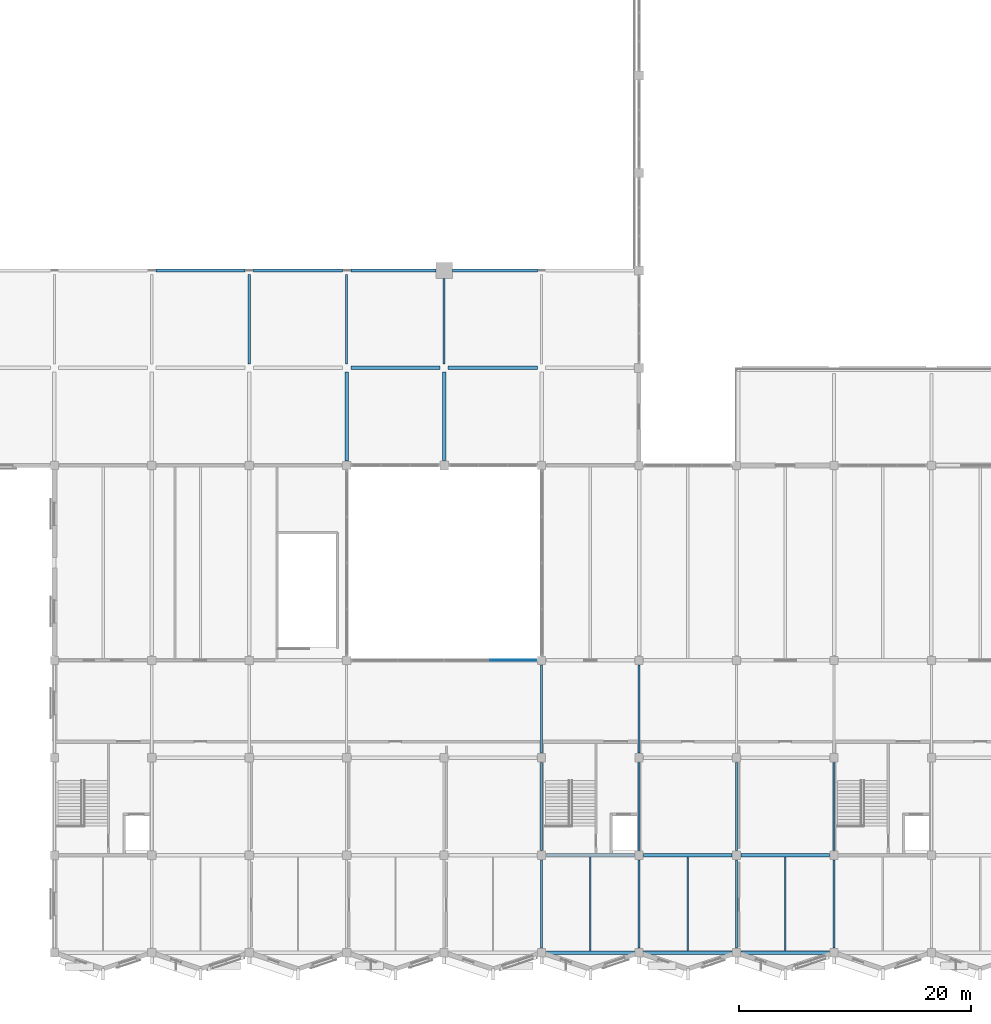
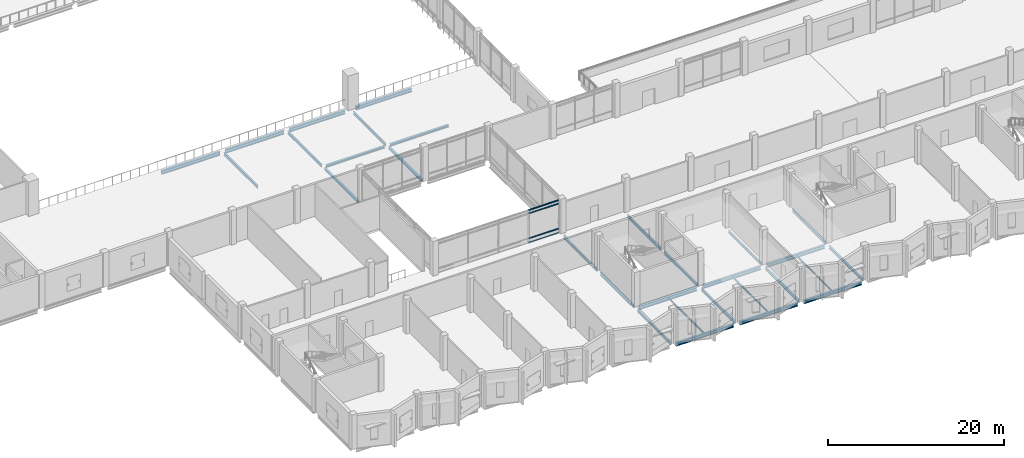
# One storey, part 6 of 110: 30 beams, 4 members, 1 element without a shape of its own.
"""IFC4 building model written with IfcOpenShell, lengths in metres."""

from ifc_helpers import new_model, si_unit, direction, frame, origin, origin_2d, place, context, subcontext, project, spatial, rectangle, i_section, extrude, material, layer, layer_set, material_profile, profile_set, type_object, element, aggregate, save


model = new_model("IFC4")

# Units and contexts
model_context = context("Model", 3, precision=1e-05, world=origin(), true_north=direction((0.0, 1.0)))
body_context = subcontext(model_context, "Body", "Model", "MODEL_VIEW")
ifc_project = project(units=[si_unit("LENGTHUNIT", "METRE"), si_unit("AREAUNIT", "SQUARE_METRE"), si_unit("VOLUMEUNIT", "CUBIC_METRE"), si_unit("PLANEANGLEUNIT", "RADIAN"), si_unit("MASSUNIT", "GRAM", prefix="KILO")], contexts=[model_context])

# Site, building, storey
site_placement = place(None, origin())
site = spatial("IfcSite", under=ifc_project, at=site_placement, CompositionType="ELEMENT")
building_placement = place(site_placement, origin())
building = spatial("IfcBuilding", under=site, at=building_placement, Name="Qawsi Khor Wholesale Market", CompositionType="ELEMENT")
storey_placement = place(building_placement, frame((0.0, 0.0, 11.39990234375)))
storey = spatial("IfcBuildingStorey", under=building, at=storey_placement, Name="L02", CompositionType="ELEMENT", Elevation=11.39990234375)

# Curtain wall, members
ifc_material_1 = material(Name="Aluminium Anodised Bronze", Category="aluminium")
ifc_layer = layer(ifc_material_1, 0.179931640625, Name="Aluminium Anodised Bronze")
ifc_layer_set = layer_set([ifc_layer], Name="Aluminium Anodised Bronze")
curtain_wall_type = type_object("IfcCurtainWallType", Name="Atrium Full-Height Curtain Wall CW-02", PredefinedType="NOTDEFINED", material=ifc_layer_set)
curtain_wall_placement = place(storey_placement, origin())
curtain_wall = element("IfcCurtainWall", 1, at=curtain_wall_placement, inside=storey, type_object=curtain_wall_type, Name="Curtain wall CW-CW-02-L02-021", PredefinedType="NOTDEFINED")
ifc_material_profile_1 = material_profile(ifc_material_1, rectangle(XDim=0.06494140625, YDim=0.139892578125, at=origin_2d()), Name="ALU TRANSOM 65x140")
ifc_profile_set_1 = profile_set([ifc_material_profile_1], Name="Aluminium Anodised Bronze")
member_type = type_object("IfcMemberType", Name="Curtain Wall Transom CW-02 ALU TRANSOM 65x140", PredefinedType="USERDEFINED", material=ifc_profile_set_1)
member_1_placement = place(storey_placement, frame((62.777587890625, 25.199951171875, 0.0), z_axis=(1.0, 0.0, 0.0), x_axis=(0.0, 1.0, 0.0)))
member_1 = element("IfcMember", 2, at=member_1_placement, type_object=member_type, Name="Transom CW-CW-02-L02-021-T0_03", ObjectType="TRANSOM", PredefinedType="USERDEFINED", context=body_context, shape_type="SweptSolid", body=[
    extrude(rectangle(XDim=0.06494140625, YDim=0.139892578125, at=origin_2d()), origin(), (0.0, 0.0, 1.0), 3.977294921875),
])
member_2_placement = place(storey_placement, frame((62.777587890625, 25.199951171875, 0.60009765625), z_axis=(1.0, 0.0, 0.0), x_axis=(0.0, 1.0, 0.0)))
member_2 = element("IfcMember", 3, at=member_2_placement, type_object=member_type, Name="Transom CW-CW-02-L02-021-T1_03", ObjectType="TRANSOM", PredefinedType="USERDEFINED", context=body_context, shape_type="SweptSolid", body=[
    extrude(rectangle(XDim=0.06494140625, YDim=0.139892578125, at=origin_2d()), origin(), (0.0, 0.0, 1.0), 3.977294921875),
])
member_3_placement = place(storey_placement, frame((62.777587890625, 25.199951171875, 4.070068359375), z_axis=(1.0, 0.0, 0.0), x_axis=(0.0, 1.0, 0.0)))
member_3 = element("IfcMember", 4, at=member_3_placement, type_object=member_type, Name="Transom CW-CW-02-L02-021-T2_03", ObjectType="TRANSOM", PredefinedType="USERDEFINED", context=body_context, shape_type="SweptSolid", body=[
    extrude(rectangle(XDim=0.06494140625, YDim=0.139892578125, at=origin_2d()), origin(), (0.0, 0.0, 1.0), 3.977294921875),
])
member_4_placement = place(storey_placement, frame((62.777587890625, 25.199951171875, 4.52001953125), z_axis=(1.0, 0.0, 0.0), x_axis=(0.0, 1.0, 0.0)))
member_4 = element("IfcMember", 5, at=member_4_placement, type_object=member_type, Name="Transom CW-CW-02-L02-021-T3_03", ObjectType="TRANSOM", PredefinedType="USERDEFINED", context=body_context, shape_type="SweptSolid", body=[
    extrude(rectangle(XDim=0.06494140625, YDim=0.139892578125, at=origin_2d()), origin(), (0.0, 0.0, 1.0), 3.977294921875),
])
aggregate(curtain_wall, [member_1, member_2, member_3, member_4])

# Beams
ifc_material_2 = material(Name="Steel S355", Category="steel")
ifc_material_profile_2 = material_profile(ifc_material_2, i_section(OverallWidth=0.300048828125, OverallDepth=0.449951171875, WebThickness=0.013916015625, FlangeThickness=0.02587890625, FilletRadius=0.027099609375, at=origin_2d()), Name="HEB 450")
ifc_profile_set_2 = profile_set([ifc_material_profile_2], Name="Steel S355")
beam_type_1 = type_object("IfcBeamType", Name="Heavy Edge Girder HEB 450", PredefinedType="BEAM", material=ifc_profile_set_2)
beam_1_placement = place(storey_placement, frame((67.60009765625, 0.0, -0.5048828125), z_axis=(1.0, 0.0, 0.0), x_axis=(0.0, 1.0, 0.0)))
element("IfcBeam", 6, at=beam_1_placement, inside=storey, type_object=beam_type_1, Name="BM-X-L02-08_+00", PredefinedType="BEAM", context=body_context, shape_type="SweptSolid", body=[
    extrude(i_section(OverallWidth=0.300048828125, OverallDepth=0.449951171875, WebThickness=0.013916015625, FlangeThickness=0.02587890625, FilletRadius=0.027099609375, at=origin_2d()), origin(), (0.0, 0.0, 1.0), 7.599853515625),
])
for number, where, z_axis, x_axis, name in (
    (7, (76.0, 0.0, -0.5048828125), (1.0, 0.0, 0.0), (0.0, 1.0, 0.0), "BM-X-L02-09_+00"),
    (8, (84.39990234375, 0.0, -0.5048828125), (1.0, 0.0, 0.0), (0.0, 1.0, 0.0), "BM-X-L02-10_+00"),
):
    element("IfcBeam", number, at=place(storey_placement, frame(where, z_axis=z_axis, x_axis=x_axis)), inside=storey, type_object=beam_type_1, Name=name, PredefinedType="BEAM", context=body_context, shape_type="SweptSolid", body=[
        extrude(i_section(OverallWidth=0.300048828125, OverallDepth=0.449951171875, WebThickness=0.013916015625, FlangeThickness=0.02587890625, FilletRadius=0.027099609375, at=origin_2d()), origin(), (0.0, 0.0, 1.0), 7.60009765625),
    ])
ifc_material_profile_3 = material_profile(ifc_material_2, i_section(OverallWidth=0.280029296875, OverallDepth=0.27001953125, WebThickness=0.008056640625, FlangeThickness=0.012939453125, FilletRadius=0.02392578125, at=origin_2d()), Name="HEA 280")
ifc_profile_set_3 = profile_set([ifc_material_profile_3], Name="Steel S355")
beam_type_2 = type_object("IfcBeamType", Name="Primary Girder HEA 280", PredefinedType="BEAM", material=ifc_profile_set_3)
beam_2_placement = place(storey_placement, frame((50.39990234375, 42.39990234375, -0.40478515625), z_axis=(0.0, 1.0, 0.0), x_axis=(-1.0, 0.0, 0.0)))
element("IfcBeam", 9, at=beam_2_placement, inside=storey, type_object=beam_type_2, Name="BM-Y-L02-06_+05", PredefinedType="BEAM", context=body_context, shape_type="SweptSolid", body=[
    extrude(i_section(OverallWidth=0.280029296875, OverallDepth=0.27001953125, WebThickness=0.008056640625, FlangeThickness=0.012939453125, FilletRadius=0.02392578125, at=origin_2d()), origin(), (0.0, 0.0, 1.0), 7.650146484375),
])
beam_3_placement = place(storey_placement, frame((58.800048828125, 42.425048828125, -0.40478515625), z_axis=(0.0, 1.0, 0.0), x_axis=(-1.0, 0.0, 0.0)))
element("IfcBeam", 10, at=beam_3_placement, inside=storey, type_object=beam_type_2, Name="BM-Y-L02-07_+05", PredefinedType="BEAM", context=body_context, shape_type="SweptSolid", body=[
    extrude(i_section(OverallWidth=0.280029296875, OverallDepth=0.27001953125, WebThickness=0.008056640625, FlangeThickness=0.012939453125, FilletRadius=0.02392578125, at=origin_2d()), origin(), (0.0, 0.0, 1.0), 7.625),
])
ifc_material_profile_4 = material_profile(ifc_material_2, i_section(OverallWidth=0.300048828125, OverallDepth=0.489990234375, WebThickness=0.011962890625, FlangeThickness=0.02294921875, FilletRadius=0.027099609375, at=origin_2d()), Name="HEA 500")
ifc_profile_set_4 = profile_set([ifc_material_profile_4], Name="Steel S355")
beam_type_3 = type_object("IfcBeamType", Name="Primary Girder HEA 500", PredefinedType="BEAM", material=ifc_profile_set_4)
for number, where, z_axis, x_axis, name in (
    (11, (33.949951171875, 58.800048828125, -0.514892578125), (1.0, 0.0, 0.0), (0.0, 1.0, 0.0), "BM-X-L02-04_+07"),
    (12, (42.35009765625, 58.800048828125, -0.514892578125), (1.0, 0.0, 0.0), (0.0, 1.0, 0.0), "BM-X-L02-05_+07"),
):
    element("IfcBeam", number, at=place(storey_placement, frame(where, z_axis=z_axis, x_axis=x_axis)), inside=storey, type_object=beam_type_3, Name=name, PredefinedType="BEAM", context=body_context, shape_type="SweptSolid", body=[
        extrude(i_section(OverallWidth=0.300048828125, OverallDepth=0.489990234375, WebThickness=0.011962890625, FlangeThickness=0.02294921875, FilletRadius=0.027099609375, at=origin_2d()), origin(), (0.0, 0.0, 1.0), 7.699951171875),
    ])
for number, where, z_axis, x_axis, name in (
    (13, (50.75, 58.800048828125, -0.514892578125), (1.0, 0.0, 0.0), (0.0, 1.0, 0.0), "BM-X-L02-06_+07"),
    (14, (59.5, 58.800048828125, -0.514892578125), (1.0, 0.0, 0.0), (0.0, 1.0, 0.0), "BM-X-L02-07_+07"),
):
    element("IfcBeam", number, at=place(storey_placement, frame(where, z_axis=z_axis, x_axis=x_axis)), inside=storey, type_object=beam_type_3, Name=name, PredefinedType="BEAM", context=body_context, shape_type="SweptSolid", body=[
        extrude(i_section(OverallWidth=0.300048828125, OverallDepth=0.489990234375, WebThickness=0.011962890625, FlangeThickness=0.02294921875, FilletRadius=0.027099609375, at=origin_2d()), origin(), (0.0, 0.0, 1.0), 7.35009765625),
    ])
beam_4_placement = place(storey_placement, frame((67.60009765625, 8.39990234375, -0.52490234375), z_axis=(1.0, 0.0, 0.0), x_axis=(0.0, 1.0, 0.0)))
element("IfcBeam", 15, at=beam_4_placement, inside=storey, type_object=beam_type_3, Name="BM-X-L02-08_+01", PredefinedType="BEAM", context=body_context, shape_type="SweptSolid", body=[
    extrude(i_section(OverallWidth=0.300048828125, OverallDepth=0.489990234375, WebThickness=0.011962890625, FlangeThickness=0.02294921875, FilletRadius=0.027099609375, at=origin_2d()), origin(), (0.0, 0.0, 1.0), 7.599853515625),
])
for number, where, z_axis, x_axis, name in (
    (16, (76.0, 8.39990234375, -0.52490234375), (1.0, 0.0, 0.0), (0.0, 1.0, 0.0), "BM-X-L02-09_+01"),
    (17, (84.39990234375, 8.39990234375, -0.52490234375), (1.0, 0.0, 0.0), (0.0, 1.0, 0.0), "BM-X-L02-10_+01"),
):
    element("IfcBeam", number, at=place(storey_placement, frame(where, z_axis=z_axis, x_axis=x_axis)), inside=storey, type_object=beam_type_3, Name=name, PredefinedType="BEAM", context=body_context, shape_type="SweptSolid", body=[
        extrude(i_section(OverallWidth=0.300048828125, OverallDepth=0.489990234375, WebThickness=0.011962890625, FlangeThickness=0.02294921875, FilletRadius=0.027099609375, at=origin_2d()), origin(), (0.0, 0.0, 1.0), 7.60009765625),
    ])
ifc_material_profile_5 = material_profile(ifc_material_2, i_section(OverallWidth=0.179931640625, OverallDepth=0.39990234375, WebThickness=0.008544921875, FlangeThickness=0.013427734375, FilletRadius=0.02099609375, at=origin_2d()), Name="IPE 400")
ifc_profile_set_5 = profile_set([ifc_material_profile_5], Name="Steel S355")
beam_type_4 = type_object("IfcBeamType", Name="Secondary Beam IPE 400", PredefinedType="BEAM", material=ifc_profile_set_5)
for number, where, z_axis, x_axis, name in (
    (18, (42.0, 50.75, -0.469970703125), (0.0, 1.0, 0.0), (-1.0, 0.0, 0.0), "BM-Y-L02-05_+06"),
    (19, (50.39990234375, 50.75, -0.469970703125), (0.0, 1.0, 0.0), (-1.0, 0.0, 0.0), "BM-Y-L02-06_+06"),
):
    element("IfcBeam", number, at=place(storey_placement, frame(where, z_axis=z_axis, x_axis=x_axis)), inside=storey, type_object=beam_type_4, Name=name, PredefinedType="BEAM", context=body_context, shape_type="SweptSolid", body=[
        extrude(i_section(OverallWidth=0.179931640625, OverallDepth=0.39990234375, WebThickness=0.008544921875, FlangeThickness=0.013427734375, FilletRadius=0.02099609375, at=origin_2d()), origin(), (0.0, 0.0, 1.0), 7.699951171875),
    ])
beam_5_placement = place(storey_placement, frame((58.800048828125, 50.75, -0.469970703125), z_axis=(0.0, 1.0, 0.0), x_axis=(-1.0, 0.0, 0.0)))
element("IfcBeam", 20, at=beam_5_placement, inside=storey, type_object=beam_type_4, Name="BM-Y-L02-07_+06", PredefinedType="BEAM", context=body_context, shape_type="SweptSolid", body=[
    extrude(i_section(OverallWidth=0.179931640625, OverallDepth=0.39990234375, WebThickness=0.008544921875, FlangeThickness=0.013427734375, FilletRadius=0.02099609375, at=origin_2d()), origin(), (0.0, 0.0, 1.0), 7.35009765625),
])
beam_6_placement = place(storey_placement, frame((67.199951171875, 0.39990234375, -0.47998046875), z_axis=(0.0, 1.0, 0.0), x_axis=(-1.0, 0.0, 0.0)))
element("IfcBeam", 21, at=beam_6_placement, inside=storey, type_object=beam_type_4, Name="BM-Y-L02-08_+00", PredefinedType="BEAM", context=body_context, shape_type="SweptSolid", body=[
    extrude(i_section(OverallWidth=0.179931640625, OverallDepth=0.39990234375, WebThickness=0.008544921875, FlangeThickness=0.013427734375, FilletRadius=0.02099609375, at=origin_2d()), origin(), (0.0, 0.0, 1.0), 7.60009765625),
])
beam_7_placement = place(storey_placement, frame((67.199951171875, 8.800048828125, -0.47998046875), z_axis=(0.0, 1.0, 0.0), x_axis=(-1.0, 0.0, 0.0)))
element("IfcBeam", 22, at=beam_7_placement, inside=storey, type_object=beam_type_4, Name="BM-Y-L02-08_+01", PredefinedType="BEAM", context=body_context, shape_type="SweptSolid", body=[
    extrude(i_section(OverallWidth=0.179931640625, OverallDepth=0.39990234375, WebThickness=0.008544921875, FlangeThickness=0.013427734375, FilletRadius=0.02099609375, at=origin_2d()), origin(), (0.0, 0.0, 1.0), 7.599853515625),
])
for number, where, z_axis, x_axis, name in (
    (23, (67.199951171875, 17.199951171875, -0.47998046875), (0.0, 1.0, 0.0), (-1.0, 0.0, 0.0), "BM-Y-L02-08_+02"),
    (24, (75.60009765625, 0.39990234375, -0.47998046875), (0.0, 1.0, 0.0), (-1.0, 0.0, 0.0), "BM-Y-L02-09_+00"),
):
    element("IfcBeam", number, at=place(storey_placement, frame(where, z_axis=z_axis, x_axis=x_axis)), inside=storey, type_object=beam_type_4, Name=name, PredefinedType="BEAM", context=body_context, shape_type="SweptSolid", body=[
        extrude(i_section(OverallWidth=0.179931640625, OverallDepth=0.39990234375, WebThickness=0.008544921875, FlangeThickness=0.013427734375, FilletRadius=0.02099609375, at=origin_2d()), origin(), (0.0, 0.0, 1.0), 7.60009765625),
    ])
beam_8_placement = place(storey_placement, frame((75.60009765625, 8.800048828125, -0.47998046875), z_axis=(0.0, 1.0, 0.0), x_axis=(-1.0, 0.0, 0.0)))
element("IfcBeam", 25, at=beam_8_placement, inside=storey, type_object=beam_type_4, Name="BM-Y-L02-09_+01", PredefinedType="BEAM", context=body_context, shape_type="SweptSolid", body=[
    extrude(i_section(OverallWidth=0.179931640625, OverallDepth=0.39990234375, WebThickness=0.008544921875, FlangeThickness=0.013427734375, FilletRadius=0.02099609375, at=origin_2d()), origin(), (0.0, 0.0, 1.0), 7.599853515625),
])
for number, where, z_axis, x_axis, name in (
    (26, (75.60009765625, 17.199951171875, -0.47998046875), (0.0, 1.0, 0.0), (-1.0, 0.0, 0.0), "BM-Y-L02-09_+02"),
    (27, (84.0, 0.39990234375, -0.47998046875), (0.0, 1.0, 0.0), (-1.0, 0.0, 0.0), "BM-Y-L02-10_+00"),
):
    element("IfcBeam", number, at=place(storey_placement, frame(where, z_axis=z_axis, x_axis=x_axis)), inside=storey, type_object=beam_type_4, Name=name, PredefinedType="BEAM", context=body_context, shape_type="SweptSolid", body=[
        extrude(i_section(OverallWidth=0.179931640625, OverallDepth=0.39990234375, WebThickness=0.008544921875, FlangeThickness=0.013427734375, FilletRadius=0.02099609375, at=origin_2d()), origin(), (0.0, 0.0, 1.0), 7.60009765625),
    ])
beam_9_placement = place(storey_placement, frame((84.0, 8.800048828125, -0.47998046875), z_axis=(0.0, 1.0, 0.0), x_axis=(-1.0, 0.0, 0.0)))
element("IfcBeam", 28, at=beam_9_placement, inside=storey, type_object=beam_type_4, Name="BM-Y-L02-10_+01", PredefinedType="BEAM", context=body_context, shape_type="SweptSolid", body=[
    extrude(i_section(OverallWidth=0.179931640625, OverallDepth=0.39990234375, WebThickness=0.008544921875, FlangeThickness=0.013427734375, FilletRadius=0.02099609375, at=origin_2d()), origin(), (0.0, 0.0, 1.0), 7.599853515625),
])
beam_10_placement = place(storey_placement, frame((92.39990234375, 0.39990234375, -0.47998046875), z_axis=(0.0, 1.0, 0.0), x_axis=(-1.0, 0.0, 0.0)))
element("IfcBeam", 29, at=beam_10_placement, inside=storey, type_object=beam_type_4, Name="BM-Y-L02-11_+00", PredefinedType="BEAM", context=body_context, shape_type="SweptSolid", body=[
    extrude(i_section(OverallWidth=0.179931640625, OverallDepth=0.39990234375, WebThickness=0.008544921875, FlangeThickness=0.013427734375, FilletRadius=0.02099609375, at=origin_2d()), origin(), (0.0, 0.0, 1.0), 7.60009765625),
])
beam_11_placement = place(storey_placement, frame((92.39990234375, 8.800048828125, -0.47998046875), z_axis=(0.0, 1.0, 0.0), x_axis=(-1.0, 0.0, 0.0)))
element("IfcBeam", 30, at=beam_11_placement, inside=storey, type_object=beam_type_4, Name="BM-Y-L02-11_+01", PredefinedType="BEAM", context=body_context, shape_type="SweptSolid", body=[
    extrude(i_section(OverallWidth=0.179931640625, OverallDepth=0.39990234375, WebThickness=0.008544921875, FlangeThickness=0.013427734375, FilletRadius=0.02099609375, at=origin_2d()), origin(), (0.0, 0.0, 1.0), 7.599853515625),
])
ifc_material_profile_6 = material_profile(ifc_material_2, i_section(OverallWidth=0.110107421875, OverallDepth=0.219970703125, WebThickness=0.005859375, FlangeThickness=0.00927734375, FilletRadius=0.011962890625, at=origin_2d()), Name="IPE 220")
ifc_profile_set_6 = profile_set([ifc_material_profile_6], Name="Steel S355")
beam_type_5 = type_object("IfcBeamType", Name="Terrace Joist IPE 220", PredefinedType="JOIST", material=ifc_profile_set_6)
for number, where, z_axis, x_axis, name in (
    (31, (71.39990234375, 0.14990234375, -0.389892578125), (0.0, 1.0, 0.0), (-1.0, 0.0, 0.0), "JST-S-L02-08"),
    (32, (79.800048828125, 0.14990234375, -0.389892578125), (0.0, 1.0, 0.0), (-1.0, 0.0, 0.0), "JST-S-L02-09"),
    (33, (88.199951171875, 0.14990234375, -0.389892578125), (0.0, 1.0, 0.0), (-1.0, 0.0, 0.0), "JST-S-L02-10"),
):
    element("IfcBeam", number, at=place(storey_placement, frame(where, z_axis=z_axis, x_axis=x_axis)), inside=storey, type_object=beam_type_5, Name=name, PredefinedType="JOIST", context=body_context, shape_type="SweptSolid", body=[
        extrude(i_section(OverallWidth=0.110107421875, OverallDepth=0.219970703125, WebThickness=0.005859375, FlangeThickness=0.00927734375, FilletRadius=0.011962890625, at=origin_2d()), origin(), (0.0, 0.0, 1.0), 8.10009765625),
    ])
ifc_material_profile_7 = material_profile(ifc_material_2, i_section(OverallWidth=0.300048828125, OverallDepth=0.300048828125, WebThickness=0.010986328125, FlangeThickness=0.01904296875, FilletRadius=0.027099609375, at=origin_2d()), Name="HEB 300")
ifc_profile_set_7 = profile_set([ifc_material_profile_7], Name="Steel S355")
beam_type_6 = type_object("IfcBeamType", Name="Tie Beam HEB 300", PredefinedType="BEAM", material=ifc_profile_set_7)
beam_12_placement = place(storey_placement, frame((50.75, 50.39990234375, -0.419921875), z_axis=(1.0, 0.0, 0.0), x_axis=(0.0, 1.0, 0.0)))
element("IfcBeam", 34, at=beam_12_placement, inside=storey, type_object=beam_type_6, Name="BM-X-L02-06_+06", PredefinedType="BEAM", context=body_context, shape_type="SweptSolid", body=[
    extrude(i_section(OverallWidth=0.300048828125, OverallDepth=0.300048828125, WebThickness=0.010986328125, FlangeThickness=0.01904296875, FilletRadius=0.027099609375, at=origin_2d()), origin(), (0.0, 0.0, 1.0), 7.699951171875),
])
beam_13_placement = place(storey_placement, frame((59.14990234375, 50.39990234375, -0.419921875), z_axis=(1.0, 0.0, 0.0), x_axis=(0.0, 1.0, 0.0)))
element("IfcBeam", 35, at=beam_13_placement, inside=storey, type_object=beam_type_6, Name="BM-X-L02-07_+06", PredefinedType="BEAM", context=body_context, shape_type="SweptSolid", body=[
    extrude(i_section(OverallWidth=0.300048828125, OverallDepth=0.300048828125, WebThickness=0.010986328125, FlangeThickness=0.01904296875, FilletRadius=0.027099609375, at=origin_2d()), origin(), (0.0, 0.0, 1.0), 7.7001953125),
])

save(model, "model.ifc")
